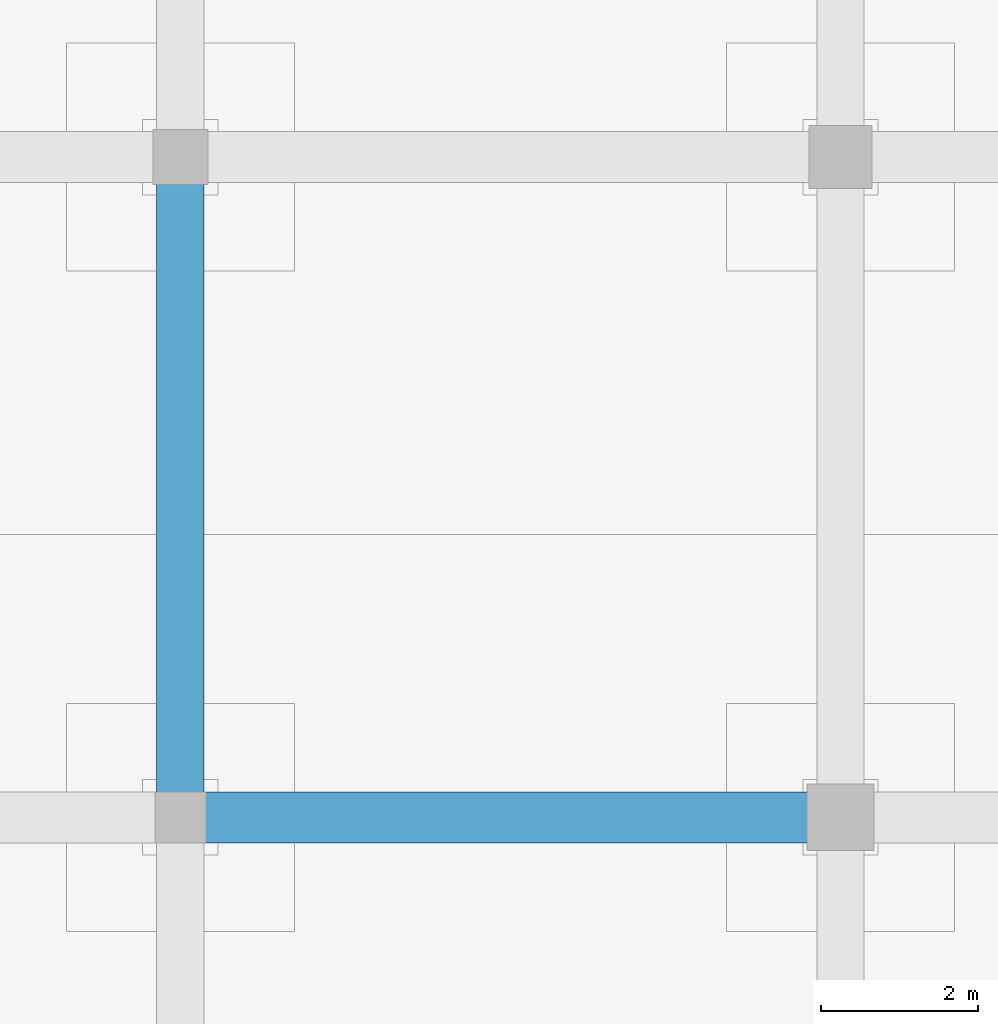
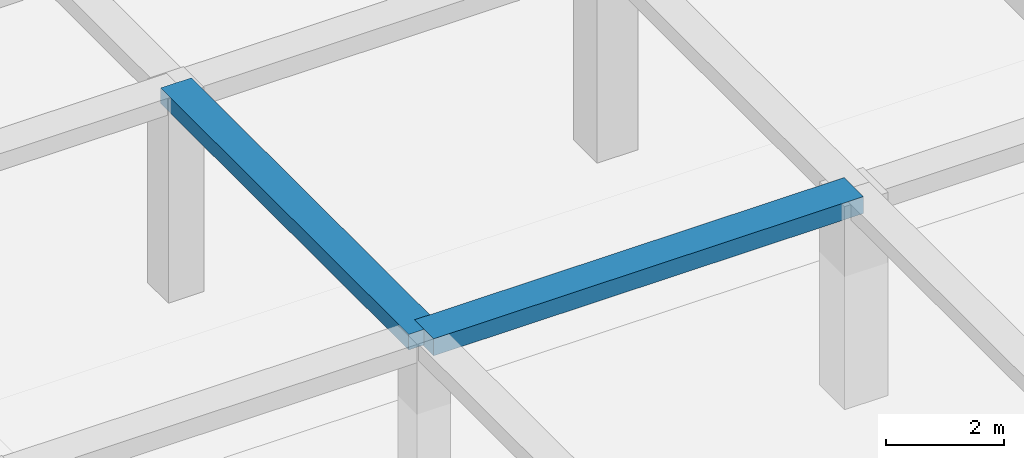
# One storey, part 42 of 85: 2 beams.
"""IFC4 building model written with IfcOpenShell, lengths in metres."""

from ifc_helpers import new_model, si_unit, direction, frame, origin, origin_2d, place, context, subcontext, project, spatial, rectangle, extrude, material, material_profile, profile_set, type_object, element, save


model = new_model("IFC4")

# Units and contexts
model_context = context("Model", 3, precision=1e-05, world=origin(), true_north=direction((0.0, 1.0)))
body_context = subcontext(model_context, "Body", "Model", "MODEL_VIEW")
ifc_project = project(units=[si_unit("LENGTHUNIT", "METRE"), si_unit("AREAUNIT", "SQUARE_METRE"), si_unit("VOLUMEUNIT", "CUBIC_METRE"), si_unit("PLANEANGLEUNIT", "RADIAN"), si_unit("MASSUNIT", "GRAM", prefix="KILO")], contexts=[model_context])

# Site, building, storey
site_placement = place(None, origin())
site = spatial("IfcSite", under=ifc_project, at=site_placement, CompositionType="ELEMENT")
building_placement = place(site_placement, origin())
building = spatial("IfcBuilding", under=site, at=building_placement, Name="Almacenes y Pasaje Nevantli", CompositionType="ELEMENT")
storey_placement = place(building_placement, frame((0.0, 0.0, 22.199951171875)))
storey = spatial("IfcBuildingStorey", under=building, at=storey_placement, Name="L05", CompositionType="ELEMENT", Elevation=22.199951171875)

# Beams
ifc_material_1 = material(Name="Concrete C35/45", Category="concrete")
ifc_material_profile_1 = material_profile(ifc_material_1, rectangle(XDim=0.60009765625, YDim=0.320068359375, at=origin_2d()), Name="RC-BM-600x320")
ifc_profile_set_1 = profile_set([ifc_material_profile_1], Name="Concrete C35/45")
beam_type_1 = type_object("IfcBeamType", Name="BM-RC-600x320", PredefinedType="BEAM", material=ifc_profile_set_1)
beam_1_placement = place(storey_placement, frame((100.800048828125, 92.39990234375, 4.06005859375), z_axis=(0.0, 1.0, 0.0), x_axis=(-1.0, 0.0, 0.0)))
element("IfcBeam", 1, at=beam_1_placement, inside=storey, type_object=beam_type_1, Name="L05 North-South Reinforced Concrete Beam #3488", PredefinedType="BEAM", context=body_context, shape_type="SweptSolid", body=[
    extrude(rectangle(XDim=0.60009765625, YDim=0.320068359375, at=origin_2d()), origin(), (0.0, 0.0, 1.0), 8.400146484375),
])
ifc_material_2 = material(Name="Concrete C35/45", Category="concrete")
ifc_material_profile_2 = material_profile(ifc_material_2, rectangle(XDim=0.64990234375, YDim=0.35009765625, at=origin_2d()), Name="RC-BM-650x350")
ifc_profile_set_2 = profile_set([ifc_material_profile_2], Name="Concrete C35/45")
beam_type_2 = type_object("IfcBeamType", Name="BM-RC-650x350", PredefinedType="BEAM", material=ifc_profile_set_2)
beam_2_placement = place(storey_placement, frame((100.800048828125, 92.39990234375, 4.045166015625), z_axis=(1.0, 0.0, 0.0), x_axis=(0.0, 1.0, 0.0)))
element("IfcBeam", 2, at=beam_2_placement, inside=storey, type_object=beam_type_2, Name="L05 East-West Reinforced Concrete Beam #3363", PredefinedType="BEAM", context=body_context, shape_type="SweptSolid", body=[
    extrude(rectangle(XDim=0.64990234375, YDim=0.35009765625, at=origin_2d()), origin(), (0.0, 0.0, 1.0), 8.39990234375),
])

save(model, "model.ifc")
